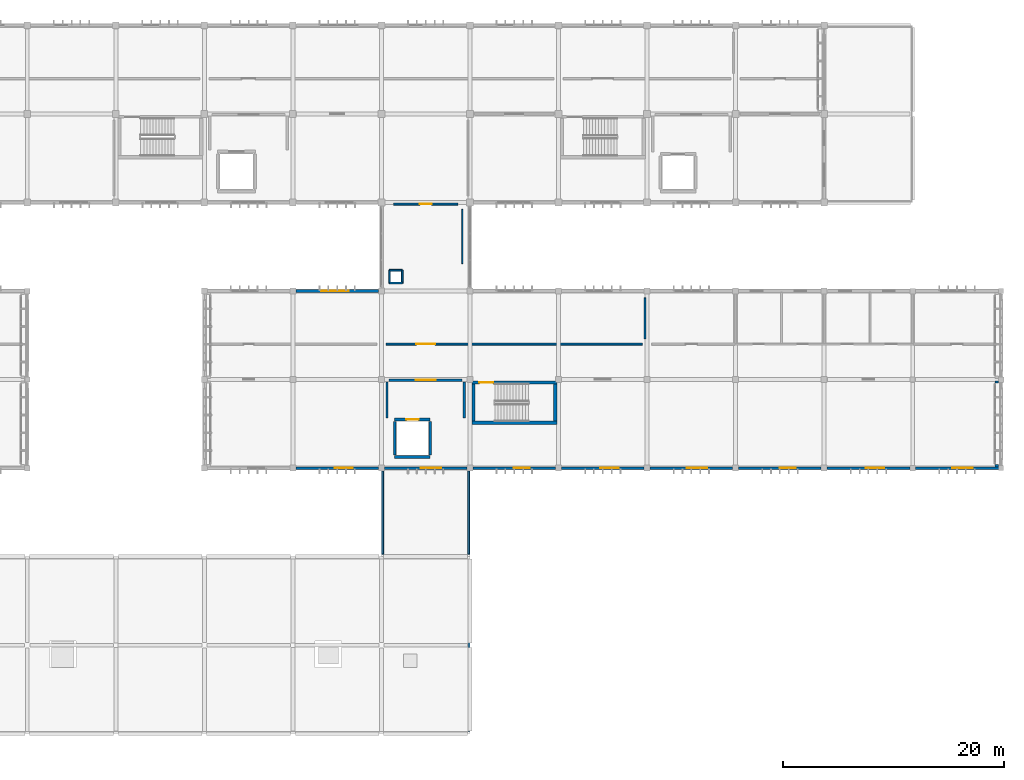
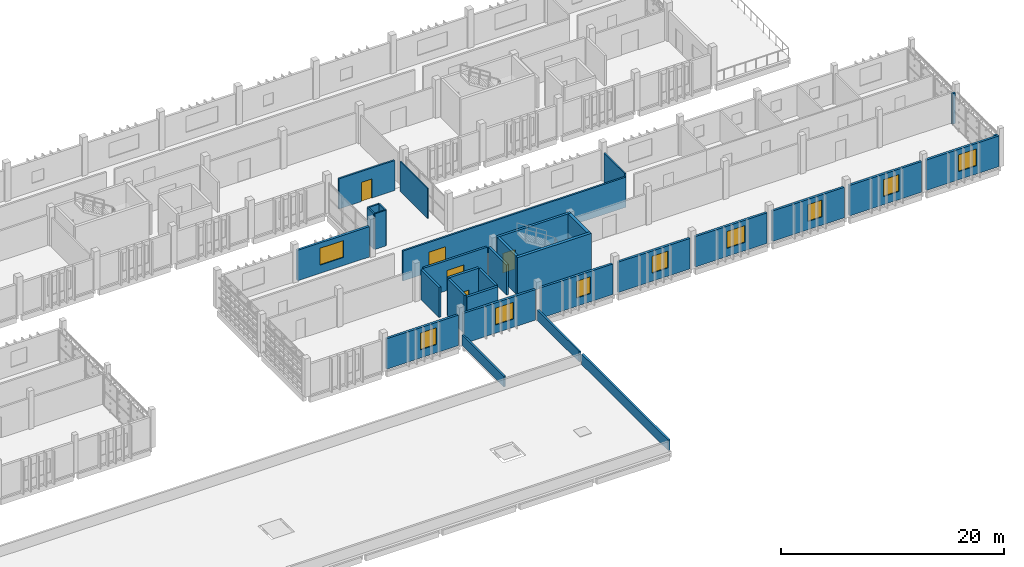
# One storey, part 36 of 48: 33 walls, 9 windows, 5 doors, 14 openings.
"""IFC4 building model written with IfcOpenShell, lengths in metres."""

from ifc_helpers import new_model, si_unit, direction, frame, frame_2d, origin, place, context, subcontext, project, spatial, rectangle, extrude, material, layer, layer_set, type_object, element, fill, save


model = new_model("IFC4")

# Units and contexts
model_context = context("Model", 3, precision=1e-05, world=origin(), true_north=direction((0.0, 1.0)))
body_context = subcontext(model_context, "Body", "Model", "MODEL_VIEW")
ifc_project = project(units=[si_unit("LENGTHUNIT", "METRE"), si_unit("AREAUNIT", "SQUARE_METRE"), si_unit("VOLUMEUNIT", "CUBIC_METRE"), si_unit("PLANEANGLEUNIT", "RADIAN"), si_unit("MASSUNIT", "GRAM", prefix="KILO")], contexts=[model_context])

# Site, building, storey
site_placement = place(None, origin())
site = spatial("IfcSite", under=ifc_project, at=site_placement, CompositionType="ELEMENT")
building_placement = place(site_placement, origin())
building = spatial("IfcBuilding", under=site, at=building_placement, Name="Jelvoka-Kovrelna Polytechnic", CompositionType="ELEMENT")
storey_placement = place(building_placement, frame((0.0, 0.0, 22.199951171875)))
storey = spatial("IfcBuildingStorey", under=building, at=storey_placement, Name="L06", CompositionType="ELEMENT", Elevation=22.199951171875)

# Wall, opening, door
ifc_material_1 = material(Name="Concrete C35/45", Category="concrete")
ifc_layer_1 = layer(ifc_material_1, 0.219970703125)
ifc_layer_set_1 = layer_set([ifc_layer_1], Name="Concrete C35/45")
wall_type_1 = type_object("IfcWallType", Name="Wall_Compartment_220", PredefinedType="PARTITIONING", material=ifc_layer_set_1)
wall_1_placement = place(storey_placement, frame((144.699951171875, 39.949951171875, 0.0), z_axis=(0.0, 0.0, 1.0), x_axis=(1.0, 0.0, 0.0)))
wall_1 = element("IfcWall", 1, at=wall_1_placement, inside=storey, type_object=wall_type_1, Name="L06 interior wall 0502", PredefinedType="PARTITIONING", context=body_context, shape_type="SweptSolid", body=[
    extrude(rectangle(XDim=6.60009765625, YDim=0.219970703125, at=frame_2d((3.300048828125, 0.0))), origin(), (0.0, 0.0, 1.0), 3.300048828125),
])
opening_1_placement = place(wall_1_placement, frame((2.39990234375, 0.0, 0.0)))
opening_1 = element("IfcOpeningElement", 2, at=opening_1_placement, cuts=wall_1, Name="Opening FD-L06-095", PredefinedType="OPENING", context=body_context, shape_type="SweptSolid", body=[
    extrude(rectangle(XDim=1.800048828125, YDim=2.199951171875, at=frame_2d((0.89990234375, 1.10009765625))), frame((0.0, 0.119873046875, 0.0), z_axis=(0.0, -1.0, 0.0), x_axis=(1.0, 0.0, 0.0)), (0.0, 0.0, 1.0), 0.239990234375),
])
ifc_material_2 = material(Name="Paired steel corridor fire door", Category="steel")
door_type_1 = type_object("IfcDoorType", Name="Door_Fire_FD03", OperationType="NOTDEFINED", PredefinedType="DOOR", material=ifc_material_2)
door_1_placement = place(opening_1_placement, origin())
door_1 = element("IfcDoor", 3, at=door_1_placement, inside=storey, type_object=door_type_1, Name="L06 interior door FD-L06-095", OperationType="DOUBLE_DOOR_SINGLE_SWING", OverallHeight=2.199951171875, OverallWidth=1.800048828125, PredefinedType="DOOR", context=body_context, shape_type="SweptSolid", body=[
    extrude(rectangle(XDim=1.800048828125, YDim=2.199951171875, at=frame_2d((0.89990234375, 1.10009765625))), frame((0.0, 0.02490234375, 0.0), z_axis=(0.0, -1.0, 0.0), x_axis=(1.0, 0.0, 0.0)), (0.0, 0.0, 1.0), 0.050048828125),
])
fill(opening_1, door_1)

# Walls
for number, where, z_axis, x_axis, name in (
    (4, (144.5, 36.550048828125, 0.0), (0.0, 0.0, 1.0), (0.0, 1.0, 0.0), "L06 interior wall 0503"),
    (5, (151.5, 36.550048828125, 0.0), (0.0, 0.0, 1.0), (0.0, 1.0, 0.0), "L06 interior wall 0504"),
):
    element("IfcWall", number, at=place(storey_placement, frame(where, z_axis=z_axis, x_axis=x_axis)), inside=storey, type_object=wall_type_1, Name=name, PredefinedType="PARTITIONING", context=body_context, shape_type="SweptSolid", body=[
        extrude(rectangle(XDim=3.25, YDim=0.219970703125, at=frame_2d((1.625, 0.0))), origin(), (0.0, 0.0, 1.0), 3.300048828125),
    ])

# Wall, opening, door
ifc_material_3 = material(Name="Concrete C40/50", Category="concrete")
ifc_layer_2 = layer(ifc_material_3, 0.25)
ifc_layer_set_2 = layer_set([ifc_layer_2], Name="Concrete C40/50")
wall_type_2 = type_object("IfcWallType", Name="Wall_Core_250", PredefinedType="SOLIDWALL", material=ifc_layer_set_2)
wall_2_placement = place(storey_placement, frame((152.199951171875, 39.739990234375, 0.0), z_axis=(0.0, 0.0, 1.0), x_axis=(1.0, 0.0, 0.0)))
wall_2 = element("IfcWall", 6, at=wall_2_placement, inside=storey, type_object=wall_type_2, Name="L06 interior wall 0139", PredefinedType="SOLIDWALL", context=body_context, shape_type="SweptSolid", body=[
    extrude(rectangle(XDim=7.650146484375, YDim=0.25, at=frame_2d((3.8251953125, 0.0))), origin(), (0.0, 0.0, 1.0), 4.199951171875),
])
opening_2_placement = place(wall_2_placement, frame((0.64990234375, 0.0, 0.0)))
opening_2 = element("IfcOpeningElement", 7, at=opening_2_placement, cuts=wall_2, Name="Opening SD-L06-035", PredefinedType="OPENING", context=body_context, shape_type="SweptSolid", body=[
    extrude(rectangle(XDim=1.25, YDim=2.14990234375, at=frame_2d((0.625, 1.074951171875))), frame((0.0, 0.135009765625, 0.0), z_axis=(0.0, -1.0, 0.0), x_axis=(1.0, 0.0, 0.0)), (0.0, 0.0, 1.0), 0.27001953125),
])
ifc_material_4 = material(Name="Powder-coated steel fire door", Category="steel")
door_type_2 = type_object("IfcDoorType", Name="Door_Fire_FD02", OperationType="NOTDEFINED", PredefinedType="DOOR", material=ifc_material_4)
door_2_placement = place(opening_2_placement, origin())
door_2 = element("IfcDoor", 8, at=door_2_placement, inside=storey, type_object=door_type_2, Name="L06 interior door SD-L06-035", OperationType="SINGLE_SWING_LEFT", OverallHeight=2.14990234375, OverallWidth=1.25, PredefinedType="DOOR", context=body_context, shape_type="SweptSolid", body=[
    extrude(rectangle(XDim=1.25, YDim=2.14990234375, at=frame_2d((0.625, 1.074951171875))), frame((0.0, 0.02490234375, 0.0), z_axis=(0.0, -1.0, 0.0), x_axis=(1.0, 0.0, 0.0)), (0.0, 0.0, 1.0), 0.050048828125),
])
fill(opening_2, door_2)

# Walls
wall_3_placement = place(storey_placement, frame((152.324951171875, 36.25, 0.0), z_axis=(0.0, 0.0, 1.0), x_axis=(0.0, 1.0, 0.0)))
element("IfcWall", 9, at=wall_3_placement, inside=storey, type_object=wall_type_2, Name="L06 interior wall 0140", PredefinedType="SOLIDWALL", context=body_context, shape_type="SweptSolid", body=[
    extrude(rectangle(XDim=3.360107421875, YDim=0.25, at=frame_2d((1.68017578125, 0.0))), origin(), (0.0, 0.0, 1.0), 4.199951171875),
])
wall_4_placement = place(storey_placement, frame((145.199951171875, 33.0, 0.0), z_axis=(0.0, 0.0, 1.0), x_axis=(1.0, 0.0, 0.0)))
element("IfcWall", 10, at=wall_4_placement, inside=storey, type_object=wall_type_2, Name="L06 interior wall 0498", PredefinedType="SOLIDWALL", context=body_context, shape_type="SweptSolid", body=[
    extrude(rectangle(XDim=3.199951171875, YDim=0.25, at=frame_2d((1.60009765625, 0.0))), origin(), (0.0, 0.0, 1.0), 4.199951171875),
])

# Wall, opening, door
wall_5_placement = place(storey_placement, frame((145.199951171875, 36.39990234375, 0.0), z_axis=(0.0, 0.0, 1.0), x_axis=(1.0, 0.0, 0.0)))
wall_5 = element("IfcWall", 11, at=wall_5_placement, inside=storey, type_object=wall_type_2, Name="L06 interior wall 0499", PredefinedType="SOLIDWALL", context=body_context, shape_type="SweptSolid", body=[
    extrude(rectangle(XDim=3.199951171875, YDim=0.25, at=frame_2d((1.60009765625, 0.0))), origin(), (0.0, 0.0, 1.0), 4.199951171875),
])
opening_3_placement = place(wall_5_placement, frame((1.050048828125, 0.0, 0.0)))
opening_3 = element("IfcOpeningElement", 12, at=opening_3_placement, cuts=wall_5, Name="Opening LD-L06-32", PredefinedType="OPENING", context=body_context, shape_type="SweptSolid", body=[
    extrude(rectangle(XDim=1.10009765625, YDim=2.14990234375, at=frame_2d((0.550048828125, 1.074951171875))), frame((0.0, 0.135009765625, 0.0), z_axis=(0.0, -1.0, 0.0), x_axis=(1.0, 0.0, 0.0)), (0.0, 0.0, 1.0), 0.27001953125),
])
ifc_material_5 = material(Name="Brushed stainless steel sliding landing door", Category="steel")
door_type_3 = type_object("IfcDoorType", Name="Door_Lift_LD01", OperationType="NOTDEFINED", PredefinedType="DOOR", material=ifc_material_5)
door_3_placement = place(opening_3_placement, origin())
door_3 = element("IfcDoor", 13, at=door_3_placement, inside=storey, type_object=door_type_3, Name="L06 lift landing sliding door LD-L06-32", OperationType="DOUBLE_DOOR_SLIDING", OverallHeight=2.14990234375, OverallWidth=1.10009765625, PredefinedType="DOOR", context=body_context, shape_type="SweptSolid", body=[
    extrude(rectangle(XDim=1.10009765625, YDim=2.14990234375, at=frame_2d((0.550048828125, 1.074951171875))), frame((0.0, 0.02490234375, 0.0), z_axis=(0.0, -1.0, 0.0), x_axis=(1.0, 0.0, 0.0)), (0.0, 0.0, 1.0), 0.050048828125),
])
fill(opening_3, door_3)

# Walls
for number, where, z_axis, x_axis, name in (
    (14, (145.199951171875, 33.199951171875, 0.0), (0.0, 0.0, 1.0), (0.0, 1.0, 0.0), "L06 interior wall 0500"),
    (15, (148.39990234375, 33.199951171875, 0.0), (0.0, 0.0, 1.0), (0.0, 1.0, 0.0), "L06 interior wall 0501"),
):
    element("IfcWall", number, at=place(storey_placement, frame(where, z_axis=z_axis, x_axis=x_axis)), inside=storey, type_object=wall_type_2, Name=name, PredefinedType="SOLIDWALL", context=body_context, shape_type="SweptSolid", body=[
        extrude(rectangle(XDim=3.0, YDim=0.25, at=frame_2d((1.5, 0.0))), origin(), (0.0, 0.0, 1.0), 4.199951171875),
    ])

# Wall, opening, door
ifc_material_6 = material(Name="Autoclaved aerated concrete blockwork", Category="masonry")
ifc_layer_3 = layer(ifc_material_6, 0.179931640625)
ifc_layer_set_3 = layer_set([ifc_layer_3], Name="Autoclaved aerated concrete blockwork")
wall_type_3 = type_object("IfcWallType", Name="Wall_Corridor_180", PredefinedType="PARTITIONING", material=ifc_layer_set_3)
wall_6_placement = place(storey_placement, frame((144.429931640625, 43.199951171875, 0.0), z_axis=(0.0, 0.0, 1.0), x_axis=(1.0, 0.0, 0.0)))
wall_6 = element("IfcWall", 16, at=wall_6_placement, inside=storey, type_object=wall_type_3, Name="L06 interior wall 1248", PredefinedType="PARTITIONING", context=body_context, shape_type="SweptSolid", body=[
    extrude(rectangle(XDim=23.14013671875, YDim=0.179931640625, at=frame_2d((11.570068359375, 0.0))), origin(), (0.0, 0.0, 1.0), 3.300048828125),
])
opening_4_placement = place(wall_6_placement, frame((2.699951171875, 0.0, 0.0)))
opening_4 = element("IfcOpeningElement", 17, at=opening_4_placement, cuts=wall_6, Name="Opening D-L06-424", PredefinedType="OPENING", context=body_context, shape_type="SweptSolid", body=[
    extrude(rectangle(XDim=1.739990234375, YDim=2.219970703125, at=frame_2d((0.8701171875, 1.10986328125))), frame((0.0, 0.099853515625, 0.0), z_axis=(0.0, -1.0, 0.0), x_axis=(1.0, 0.0, 0.0)), (0.0, 0.0, 1.0), 0.199951171875),
])
ifc_material_7 = material(Name="Paired hardwood fire-resisting refectory door", Category="wood")
door_type_4 = type_object("IfcDoorType", Name="Door_Fire_FD30_09", OperationType="NOTDEFINED", PredefinedType="DOOR", material=ifc_material_7)
door_4_placement = place(opening_4_placement, origin())
door_4 = element("IfcDoor", 18, at=door_4_placement, inside=storey, type_object=door_type_4, Name="L06 interior door D-L06-424", OperationType="DOUBLE_DOOR_SINGLE_SWING", OverallHeight=2.219970703125, OverallWidth=1.739990234375, PredefinedType="DOOR", context=body_context, shape_type="SweptSolid", body=[
    extrude(rectangle(XDim=1.739990234375, YDim=2.219970703125, at=frame_2d((0.8701171875, 1.10986328125))), frame((0.0, 0.02490234375, 0.0), z_axis=(0.0, -1.0, 0.0), x_axis=(1.0, 0.0, 0.0)), (0.0, 0.0, 1.0), 0.050048828125),
])
fill(opening_4, door_4)

wall_7_placement = place(storey_placement, frame((145.10009765625, 55.85009765625, 0.0), z_axis=(0.0, 0.0, 1.0), x_axis=(1.0, 0.0, 0.0)))
wall_7 = element("IfcWall", 19, at=wall_7_placement, inside=storey, type_object=wall_type_3, Name="L06 interior wall 1269", PredefinedType="PARTITIONING", context=body_context, shape_type="SweptSolid", body=[
    extrude(rectangle(XDim=5.7998046875, YDim=0.179931640625, at=frame_2d((2.89990234375, 0.0))), origin(), (0.0, 0.0, 1.0), 3.300048828125),
])
opening_5_placement = place(wall_7_placement, frame((2.3701171875, 0.0, 0.0)))
opening_5 = element("IfcOpeningElement", 20, at=opening_5_placement, cuts=wall_7, Name="Opening D-L06-439", PredefinedType="OPENING", context=body_context, shape_type="SweptSolid", body=[
    extrude(rectangle(XDim=1.06005859375, YDim=2.10009765625, at=frame_2d((0.530029296875, 1.050048828125))), frame((0.0, 0.099853515625, 0.0), z_axis=(0.0, -1.0, 0.0), x_axis=(1.0, 0.0, 0.0)), (0.0, 0.0, 1.0), 0.199951171875),
])
ifc_material_8 = material(Name="Hardwood solid-core door", Category="wood")
door_type_5 = type_object("IfcDoorType", Name="Door_Int_D05", OperationType="NOTDEFINED", PredefinedType="DOOR", material=ifc_material_8)
door_5_placement = place(opening_5_placement, origin())
door_5 = element("IfcDoor", 21, at=door_5_placement, inside=storey, type_object=door_type_5, Name="L06 interior door D-L06-439", OperationType="SINGLE_SWING_LEFT", OverallHeight=2.10009765625, OverallWidth=1.06005859375, PredefinedType="DOOR", context=body_context, shape_type="SweptSolid", body=[
    extrude(rectangle(XDim=1.06005859375, YDim=2.10009765625, at=frame_2d((0.530029296875, 1.050048828125))), frame((0.0, 0.02490234375, 0.0), z_axis=(0.0, -1.0, 0.0), x_axis=(1.0, 0.0, 0.0)), (0.0, 0.0, 1.0), 0.050048828125),
])
fill(opening_5, door_5)

# Wall, opening, window
ifc_material_9 = material(Name="Precast concrete C40/50", Category="concrete")
ifc_layer_4 = layer(ifc_material_9, 0.239990234375)
ifc_layer_set_4 = layer_set([ifc_layer_4], Name="Precast concrete C40/50")
wall_type_4 = type_object("IfcWallType", Name="Wall_Ext_White_240", PredefinedType="STANDARD", material=ifc_layer_set_4)
wall_8_placement = place(storey_placement, frame((143.72802734375, 32.0, 0.0), z_axis=(0.0, 0.0, 1.0), x_axis=(-1.0, 0.0, 0.0)))
wall_8 = element("IfcWall", 22, at=wall_8_placement, inside=storey, type_object=wall_type_4, Name="L06 exterior wall 0532", PredefinedType="STANDARD", context=body_context, shape_type="SweptSolid", body=[
    extrude(rectangle(XDim=7.4560546875, YDim=0.239990234375, at=frame_2d((3.72802734375, 0.0))), origin(), (0.0, 0.0, 1.0), 3.3349609375),
])
opening_6_placement = place(wall_8_placement, frame((2.30810546875, 0.0, 0.89990234375)))
opening_6 = element("IfcOpeningElement", 23, at=opening_6_placement, cuts=wall_8, Name="Opening W-L06-225", PredefinedType="OPENING", context=body_context, shape_type="SweptSolid", body=[
    extrude(rectangle(XDim=1.64990234375, YDim=1.85009765625, at=frame_2d((0.824951171875, 0.925048828125))), frame((0.0, 0.130126953125, 0.0), z_axis=(0.0, -1.0, 0.0), x_axis=(1.0, 0.0, 0.0)), (0.0, 0.0, 1.0), 0.260009765625),
])
ifc_material_10 = material(Name="Thermally broken anodised aluminium and low-e glazing", Category="aluminium")
window_type_1 = type_object("IfcWindowType", Name="Win_Casement_W44", PartitioningType="DOUBLE_PANEL_VERTICAL", PredefinedType="WINDOW", material=ifc_material_10)
window_1_placement = place(opening_6_placement, origin())
window_1 = element("IfcWindow", 24, at=window_1_placement, inside=storey, type_object=window_type_1, Name="L06 aluminium casement window W-L06-225", OverallHeight=1.85009765625, OverallWidth=1.64990234375, PartitioningType="DOUBLE_PANEL_VERTICAL", PredefinedType="WINDOW", context=body_context, shape_type="SweptSolid", body=[
    extrude(rectangle(XDim=1.64990234375, YDim=1.85009765625, at=frame_2d((0.824951171875, 0.925048828125))), frame((0.0, 0.030029296875, 0.0), z_axis=(0.0, -1.0, 0.0), x_axis=(1.0, 0.0, 0.0)), (0.0, 0.0, 1.0), 0.06005859375),
])
fill(opening_6, window_1)

wall_9_placement = place(storey_placement, frame((136.27197265625, 48.0, 0.0), z_axis=(0.0, 0.0, 1.0), x_axis=(1.0, 0.0, 0.0)))
wall_9 = element("IfcWall", 25, at=wall_9_placement, inside=storey, type_object=wall_type_4, Name="L06 exterior wall 0533", PredefinedType="STANDARD", context=body_context, shape_type="SweptSolid", body=[
    extrude(rectangle(XDim=7.4560546875, YDim=0.239990234375, at=frame_2d((3.72802734375, 0.0))), origin(), (0.0, 0.0, 1.0), 3.3349609375),
])
opening_7_placement = place(wall_9_placement, frame((2.30810546875, 0.0, 0.89990234375)))
opening_7 = element("IfcOpeningElement", 26, at=opening_7_placement, cuts=wall_9, Name="Opening W-L06-226", PredefinedType="OPENING", context=body_context, shape_type="SweptSolid", body=[
    extrude(rectangle(XDim=2.449951171875, YDim=1.85009765625, at=frame_2d((1.22509765625, 0.925048828125))), frame((0.0, 0.130126953125, 0.0), z_axis=(0.0, -1.0, 0.0), x_axis=(1.0, 0.0, 0.0)), (0.0, 0.0, 1.0), 0.260009765625),
])
ifc_material_11 = material(Name="Thermally broken anodised aluminium and low-e glazing", Category="aluminium")
window_type_2 = type_object("IfcWindowType", Name="Win_Casement_W48", PartitioningType="DOUBLE_PANEL_VERTICAL", PredefinedType="WINDOW", material=ifc_material_11)
window_2_placement = place(opening_7_placement, origin())
window_2 = element("IfcWindow", 27, at=window_2_placement, inside=storey, type_object=window_type_2, Name="L06 aluminium casement window W-L06-226", OverallHeight=1.85009765625, OverallWidth=2.449951171875, PartitioningType="DOUBLE_PANEL_VERTICAL", PredefinedType="WINDOW", context=body_context, shape_type="SweptSolid", body=[
    extrude(rectangle(XDim=2.449951171875, YDim=1.85009765625, at=frame_2d((1.22509765625, 0.925048828125))), frame((0.0, 0.030029296875, 0.0), z_axis=(0.0, -1.0, 0.0), x_axis=(1.0, 0.0, 0.0)), (0.0, 0.0, 1.0), 0.06005859375),
])
fill(opening_7, window_2)

wall_10_placement = place(storey_placement, frame((151.72802734375, 32.0, 0.0), z_axis=(0.0, 0.0, 1.0), x_axis=(-1.0, 0.0, 0.0)))
wall_10 = element("IfcWall", 28, at=wall_10_placement, inside=storey, type_object=wall_type_4, Name="L06 exterior wall 0534", PredefinedType="STANDARD", context=body_context, shape_type="SweptSolid", body=[
    extrude(rectangle(XDim=7.4560546875, YDim=0.239990234375, at=frame_2d((3.72802734375, 0.0))), origin(), (0.0, 0.0, 1.0), 3.3349609375),
])
opening_8_placement = place(wall_10_placement, frame((2.30810546875, 0.0, 0.89990234375)))
opening_8 = element("IfcOpeningElement", 29, at=opening_8_placement, cuts=wall_10, Name="Opening W-L06-227", PredefinedType="OPENING", context=body_context, shape_type="SweptSolid", body=[
    extrude(rectangle(XDim=1.85009765625, YDim=1.85009765625, at=frame_2d((0.925048828125, 0.925048828125))), frame((0.0, 0.130126953125, 0.0), z_axis=(0.0, -1.0, 0.0), x_axis=(1.0, 0.0, 0.0)), (0.0, 0.0, 1.0), 0.260009765625),
])
ifc_material_12 = material(Name="Thermally broken anodised aluminium and low-e glazing", Category="aluminium")
window_type_3 = type_object("IfcWindowType", Name="Win_Casement_W45", PartitioningType="DOUBLE_PANEL_VERTICAL", PredefinedType="WINDOW", material=ifc_material_12)
window_3_placement = place(opening_8_placement, origin())
window_3 = element("IfcWindow", 30, at=window_3_placement, inside=storey, type_object=window_type_3, Name="L06 aluminium casement window W-L06-227", OverallHeight=1.85009765625, OverallWidth=1.85009765625, PartitioningType="DOUBLE_PANEL_VERTICAL", PredefinedType="WINDOW", context=body_context, shape_type="SweptSolid", body=[
    extrude(rectangle(XDim=1.85009765625, YDim=1.85009765625, at=frame_2d((0.925048828125, 0.925048828125))), frame((0.0, 0.030029296875, 0.0), z_axis=(0.0, -1.0, 0.0), x_axis=(1.0, 0.0, 0.0)), (0.0, 0.0, 1.0), 0.06005859375),
])
fill(opening_8, window_3)

wall_11_placement = place(storey_placement, frame((159.72802734375, 32.0, 0.0), z_axis=(0.0, 0.0, 1.0), x_axis=(-1.0, 0.0, 0.0)))
wall_11 = element("IfcWall", 31, at=wall_11_placement, inside=storey, type_object=wall_type_4, Name="L06 exterior wall 0535", PredefinedType="STANDARD", context=body_context, shape_type="SweptSolid", body=[
    extrude(rectangle(XDim=7.4560546875, YDim=0.239990234375, at=frame_2d((3.72802734375, 0.0))), origin(), (0.0, 0.0, 1.0), 3.3349609375),
])
opening_9_placement = place(wall_11_placement, frame((2.30810546875, 0.0, 0.89990234375)))
opening_9 = element("IfcOpeningElement", 32, at=opening_9_placement, cuts=wall_11, Name="Opening W-L06-228", PredefinedType="OPENING", context=body_context, shape_type="SweptSolid", body=[
    extrude(rectangle(XDim=1.449951171875, YDim=1.85009765625, at=frame_2d((0.72509765625, 0.925048828125))), frame((0.0, 0.130126953125, 0.0), z_axis=(0.0, -1.0, 0.0), x_axis=(1.0, 0.0, 0.0)), (0.0, 0.0, 1.0), 0.260009765625),
])
ifc_material_13 = material(Name="Thermally broken anodised aluminium and low-e glazing", Category="aluminium")
window_type_4 = type_object("IfcWindowType", Name="Win_Casement_W43", PartitioningType="SINGLE_PANEL", PredefinedType="WINDOW", material=ifc_material_13)
window_4_placement = place(opening_9_placement, origin())
window_4 = element("IfcWindow", 33, at=window_4_placement, inside=storey, type_object=window_type_4, Name="L06 aluminium casement window W-L06-228", OverallHeight=1.85009765625, OverallWidth=1.449951171875, PartitioningType="SINGLE_PANEL", PredefinedType="WINDOW", context=body_context, shape_type="SweptSolid", body=[
    extrude(rectangle(XDim=1.449951171875, YDim=1.85009765625, at=frame_2d((0.72509765625, 0.925048828125))), frame((0.0, 0.030029296875, 0.0), z_axis=(0.0, -1.0, 0.0), x_axis=(1.0, 0.0, 0.0)), (0.0, 0.0, 1.0), 0.06005859375),
])
fill(opening_9, window_4)

wall_12_placement = place(storey_placement, frame((167.72802734375, 32.0, 0.0), z_axis=(0.0, 0.0, 1.0), x_axis=(-1.0, 0.0, 0.0)))
wall_12 = element("IfcWall", 34, at=wall_12_placement, inside=storey, type_object=wall_type_4, Name="L06 exterior wall 0537", PredefinedType="STANDARD", context=body_context, shape_type="SweptSolid", body=[
    extrude(rectangle(XDim=7.4560546875, YDim=0.239990234375, at=frame_2d((3.72802734375, 0.0))), origin(), (0.0, 0.0, 1.0), 3.3349609375),
])
opening_10_placement = place(wall_12_placement, frame((2.30810546875, 0.0, 0.89990234375)))
opening_10 = element("IfcOpeningElement", 35, at=opening_10_placement, cuts=wall_12, Name="Opening W-L06-230", PredefinedType="OPENING", context=body_context, shape_type="SweptSolid", body=[
    extrude(rectangle(XDim=1.64990234375, YDim=1.85009765625, at=frame_2d((0.824951171875, 0.925048828125))), frame((0.0, 0.130126953125, 0.0), z_axis=(0.0, -1.0, 0.0), x_axis=(1.0, 0.0, 0.0)), (0.0, 0.0, 1.0), 0.260009765625),
])
window_5_placement = place(opening_10_placement, origin())
window_5 = element("IfcWindow", 36, at=window_5_placement, inside=storey, type_object=window_type_1, Name="L06 aluminium casement window W-L06-230", OverallHeight=1.85009765625, OverallWidth=1.64990234375, PartitioningType="DOUBLE_PANEL_VERTICAL", PredefinedType="WINDOW", context=body_context, shape_type="SweptSolid", body=[
    extrude(rectangle(XDim=1.64990234375, YDim=1.85009765625, at=frame_2d((0.824951171875, 0.925048828125))), frame((0.0, 0.030029296875, 0.0), z_axis=(0.0, -1.0, 0.0), x_axis=(1.0, 0.0, 0.0)), (0.0, 0.0, 1.0), 0.06005859375),
])
fill(opening_10, window_5)

wall_13_placement = place(storey_placement, frame((175.72802734375, 32.0, 0.0), z_axis=(0.0, 0.0, 1.0), x_axis=(-1.0, 0.0, 0.0)))
wall_13 = element("IfcWall", 37, at=wall_13_placement, inside=storey, type_object=wall_type_4, Name="L06 exterior wall 0539", PredefinedType="STANDARD", context=body_context, shape_type="SweptSolid", body=[
    extrude(rectangle(XDim=7.4560546875, YDim=0.239990234375, at=frame_2d((3.72802734375, 0.0))), origin(), (0.0, 0.0, 1.0), 3.3349609375),
])
opening_11_placement = place(wall_13_placement, frame((2.30810546875, 0.0, 0.89990234375)))
opening_11 = element("IfcOpeningElement", 38, at=opening_11_placement, cuts=wall_13, Name="Opening W-L06-232", PredefinedType="OPENING", context=body_context, shape_type="SweptSolid", body=[
    extrude(rectangle(XDim=1.85009765625, YDim=1.85009765625, at=frame_2d((0.925048828125, 0.925048828125))), frame((0.0, 0.130126953125, 0.0), z_axis=(0.0, -1.0, 0.0), x_axis=(1.0, 0.0, 0.0)), (0.0, 0.0, 1.0), 0.260009765625),
])
window_6_placement = place(opening_11_placement, origin())
window_6 = element("IfcWindow", 39, at=window_6_placement, inside=storey, type_object=window_type_3, Name="L06 aluminium casement window W-L06-232", OverallHeight=1.85009765625, OverallWidth=1.85009765625, PartitioningType="DOUBLE_PANEL_VERTICAL", PredefinedType="WINDOW", context=body_context, shape_type="SweptSolid", body=[
    extrude(rectangle(XDim=1.85009765625, YDim=1.85009765625, at=frame_2d((0.925048828125, 0.925048828125))), frame((0.0, 0.030029296875, 0.0), z_axis=(0.0, -1.0, 0.0), x_axis=(1.0, 0.0, 0.0)), (0.0, 0.0, 1.0), 0.06005859375),
])
fill(opening_11, window_6)

wall_14_placement = place(storey_placement, frame((183.72802734375, 32.0, 0.0), z_axis=(0.0, 0.0, 1.0), x_axis=(-1.0, 0.0, 0.0)))
wall_14 = element("IfcWall", 40, at=wall_14_placement, inside=storey, type_object=wall_type_4, Name="L06 exterior wall 0541", PredefinedType="STANDARD", context=body_context, shape_type="SweptSolid", body=[
    extrude(rectangle(XDim=7.4560546875, YDim=0.239990234375, at=frame_2d((3.72802734375, 0.0))), origin(), (0.0, 0.0, 1.0), 3.3349609375),
])
opening_12_placement = place(wall_14_placement, frame((2.30810546875, 0.0, 0.89990234375)))
opening_12 = element("IfcOpeningElement", 41, at=opening_12_placement, cuts=wall_14, Name="Opening W-L06-234", PredefinedType="OPENING", context=body_context, shape_type="SweptSolid", body=[
    extrude(rectangle(XDim=1.449951171875, YDim=1.85009765625, at=frame_2d((0.72509765625, 0.925048828125))), frame((0.0, 0.130126953125, 0.0), z_axis=(0.0, -1.0, 0.0), x_axis=(1.0, 0.0, 0.0)), (0.0, 0.0, 1.0), 0.260009765625),
])
window_7_placement = place(opening_12_placement, origin())
window_7 = element("IfcWindow", 42, at=window_7_placement, inside=storey, type_object=window_type_4, Name="L06 aluminium casement window W-L06-234", OverallHeight=1.85009765625, OverallWidth=1.449951171875, PartitioningType="SINGLE_PANEL", PredefinedType="WINDOW", context=body_context, shape_type="SweptSolid", body=[
    extrude(rectangle(XDim=1.449951171875, YDim=1.85009765625, at=frame_2d((0.72509765625, 0.925048828125))), frame((0.0, 0.030029296875, 0.0), z_axis=(0.0, -1.0, 0.0), x_axis=(1.0, 0.0, 0.0)), (0.0, 0.0, 1.0), 0.06005859375),
])
fill(opening_12, window_7)

wall_15_placement = place(storey_placement, frame((191.7529296875, 32.0, 0.0), z_axis=(0.0, 0.0, 1.0), x_axis=(-1.0, 0.0, 0.0)))
wall_15 = element("IfcWall", 43, at=wall_15_placement, inside=storey, type_object=wall_type_4, Name="L06 exterior wall 0543", PredefinedType="STANDARD", context=body_context, shape_type="SweptSolid", body=[
    extrude(rectangle(XDim=7.48095703125, YDim=0.239990234375, at=frame_2d((3.740478515625, 0.0))), origin(), (0.0, 0.0, 1.0), 3.35009765625),
])
opening_13_placement = place(wall_15_placement, frame((2.3330078125, 0.0, 0.89990234375)))
opening_13 = element("IfcOpeningElement", 44, at=opening_13_placement, cuts=wall_15, Name="Opening W-L06-237", PredefinedType="OPENING", context=body_context, shape_type="SweptSolid", body=[
    extrude(rectangle(XDim=1.64990234375, YDim=1.85009765625, at=frame_2d((0.824951171875, 0.925048828125))), frame((0.0, 0.130126953125, 0.0), z_axis=(0.0, -1.0, 0.0), x_axis=(1.0, 0.0, 0.0)), (0.0, 0.0, 1.0), 0.260009765625),
])
window_8_placement = place(opening_13_placement, origin())
window_8 = element("IfcWindow", 45, at=window_8_placement, inside=storey, type_object=window_type_1, Name="L06 aluminium casement window W-L06-237", OverallHeight=1.85009765625, OverallWidth=1.64990234375, PartitioningType="DOUBLE_PANEL_VERTICAL", PredefinedType="WINDOW", context=body_context, shape_type="SweptSolid", body=[
    extrude(rectangle(XDim=1.64990234375, YDim=1.85009765625, at=frame_2d((0.824951171875, 0.925048828125))), frame((0.0, 0.030029296875, 0.0), z_axis=(0.0, -1.0, 0.0), x_axis=(1.0, 0.0, 0.0)), (0.0, 0.0, 1.0), 0.06005859375),
])
fill(opening_13, window_8)

wall_16_placement = place(storey_placement, frame((199.778076171875, 32.0, 0.0), z_axis=(0.0, 0.0, 1.0), x_axis=(-1.0, 0.0, 0.0)))
wall_16 = element("IfcWall", 46, at=wall_16_placement, inside=storey, type_object=wall_type_4, Name="L06 exterior wall 0545", PredefinedType="STANDARD", context=body_context, shape_type="SweptSolid", body=[
    extrude(rectangle(XDim=7.531005859375, YDim=0.239990234375, at=frame_2d((3.765625, 0.0))), origin(), (0.0, 0.0, 1.0), 3.35009765625),
])
opening_14_placement = place(wall_16_placement, frame((2.35791015625, 0.0, 0.89990234375)))
opening_14 = element("IfcOpeningElement", 47, at=opening_14_placement, cuts=wall_16, Name="Opening W-L06-240", PredefinedType="OPENING", context=body_context, shape_type="SweptSolid", body=[
    extrude(rectangle(XDim=1.85009765625, YDim=1.85009765625, at=frame_2d((0.925048828125, 0.925048828125))), frame((0.0, 0.130126953125, 0.0), z_axis=(0.0, -1.0, 0.0), x_axis=(1.0, 0.0, 0.0)), (0.0, 0.0, 1.0), 0.260009765625),
])
window_9_placement = place(opening_14_placement, origin())
window_9 = element("IfcWindow", 48, at=window_9_placement, inside=storey, type_object=window_type_3, Name="L06 aluminium casement window W-L06-240", OverallHeight=1.85009765625, OverallWidth=1.85009765625, PartitioningType="DOUBLE_PANEL_VERTICAL", PredefinedType="WINDOW", context=body_context, shape_type="SweptSolid", body=[
    extrude(rectangle(XDim=1.85009765625, YDim=1.85009765625, at=frame_2d((0.925048828125, 0.925048828125))), frame((0.0, 0.030029296875, 0.0), z_axis=(0.0, -1.0, 0.0), x_axis=(1.0, 0.0, 0.0)), (0.0, 0.0, 1.0), 0.06005859375),
])
fill(opening_14, window_9)

# Walls
ifc_material_14 = material(Name="Precast concrete C40/50", Category="concrete")
ifc_layer_5 = layer(ifc_material_14, 0.179931640625)
ifc_layer_set_5 = layer_set([ifc_layer_5], Name="Precast concrete C40/50")
wall_type_5 = type_object("IfcWallType", Name="Wall_Parapet_180", PredefinedType="PARAPET", material=ifc_layer_set_5)
for number, where, z_axis, x_axis, name in (
    (49, (151.89990234375, 24.219970703125, 0.0), (0.0, 0.0, 1.0), (0.0, 1.0, 0.0), "L06 exterior wall 1205"),
    (50, (144.10009765625, 31.780029296875, 0.0), (0.0, 0.0, 1.0), (0.0, -1.0, 0.0), "L06 exterior wall 1206"),
):
    element("IfcWall", number, at=place(storey_placement, frame(where, z_axis=z_axis, x_axis=x_axis)), inside=storey, type_object=wall_type_5, Name=name, PredefinedType="PARAPET", context=body_context, shape_type="SweptSolid", body=[
        extrude(rectangle(XDim=7.56005859375, YDim=0.179931640625, at=frame_2d((3.780029296875, 0.0))), origin(), (0.0, 0.0, 1.0), 1.150146484375),
    ])
ifc_material_15 = material(Name="Precast concrete C40/50", Category="concrete")
ifc_layer_6 = layer(ifc_material_15, 0.199951171875)
ifc_layer_set_6 = layer_set([ifc_layer_6], Name="Precast concrete C40/50")
wall_type_6 = type_object("IfcWallType", Name="Wall_Parapet_200", PredefinedType="PARAPET", material=ifc_layer_set_6)
for number, where, z_axis, x_axis, name in (
    (51, (199.760009765625, 32.219970703125, 0.0), (0.0, 0.0, 1.0), (-1.0, 0.0, 0.0), "L06 exterior wall 0551"),
    (52, (199.760009765625, 39.780029296875, 0.0), (0.0, 0.0, 1.0), (-1.0, 0.0, 0.0), "L06 exterior wall 0552"),
):
    element("IfcWall", number, at=place(storey_placement, frame(where, z_axis=z_axis, x_axis=x_axis)), inside=storey, type_object=wall_type_6, Name=name, PredefinedType="PARAPET", context=body_context, shape_type="SweptSolid", body=[
        extrude(rectangle(XDim=0.320068359375, YDim=0.199951171875, at=frame_2d((0.16015625, 0.0))), origin(), (0.0, 0.0, 1.0), 3.35009765625),
    ])
wall_17_placement = place(storey_placement, frame((151.89990234375, 8.219970703125, 0.0), z_axis=(0.0, 0.0, 1.0), x_axis=(0.0, 1.0, 0.0)))
element("IfcWall", 53, at=wall_17_placement, inside=storey, type_object=wall_type_6, Name="L06 exterior wall 1196", PredefinedType="PARAPET", context=body_context, shape_type="SweptSolid", body=[
    extrude(rectangle(XDim=15.56005859375, YDim=0.199951171875, at=frame_2d((7.780029296875, 0.0))), origin(), (0.0, 0.0, 1.0), 1.150146484375),
])
ifc_material_16 = material(Name="Acoustic gypsum stud partition")
ifc_layer_7 = layer(ifc_material_16, 0.125)
ifc_layer_set_7 = layer_set([ifc_layer_7], Name="Acoustic gypsum stud partition")
wall_type_7 = type_object("IfcWallType", Name="Wall_Partition_125", PredefinedType="PARTITIONING", material=ifc_layer_set_7)
wall_18_placement = place(storey_placement, frame((151.300048828125, 50.469970703125, 0.0), z_axis=(0.0, 0.0, 1.0), x_axis=(0.0, 1.0, 0.0)))
element("IfcWall", 54, at=wall_18_placement, inside=storey, type_object=wall_type_7, Name="L06 interior wall 1270", PredefinedType="PARTITIONING", context=body_context, shape_type="SweptSolid", body=[
    extrude(rectangle(XDim=4.909912109375, YDim=0.125, at=frame_2d((2.455078125, 0.0))), origin(), (0.0, 0.0, 1.0), 3.300048828125),
])
ifc_material_17 = material(Name="Autoclaved aerated concrete blockwork", Category="masonry")
ifc_layer_8 = layer(ifc_material_17, 0.14990234375)
ifc_layer_set_8 = layer_set([ifc_layer_8], Name="Autoclaved aerated concrete blockwork")
wall_type_8 = type_object("IfcWallType", Name="Wall_Partition_150", PredefinedType="PARTITIONING", material=ifc_layer_set_8)
for number, where, z_axis, x_axis, name in (
    (55, (144.719970703125, 48.719970703125, 0.0), (0.0, 0.0, 1.0), (1.0, 0.0, 0.0), "L06 interior wall 0791"),
    (56, (145.8798828125, 48.719970703125, 0.0), (0.0, 0.0, 1.0), (0.0, 1.0, 0.0), "L06 interior wall 0792"),
    (57, (145.8798828125, 49.8798828125, 0.0), (0.0, 0.0, 1.0), (-1.0, 0.0, 0.0), "L06 interior wall 0793"),
    (58, (144.719970703125, 49.8798828125, 0.0), (0.0, 0.0, 1.0), (0.0, -1.0, 0.0), "L06 interior wall 0794"),
):
    element("IfcWall", number, at=place(storey_placement, frame(where, z_axis=z_axis, x_axis=x_axis)), inside=storey, type_object=wall_type_8, Name=name, PredefinedType="PARTITIONING", context=body_context, shape_type="SweptSolid", body=[
        extrude(rectangle(XDim=1.159912109375, YDim=0.14990234375, at=frame_2d((0.580078125, 0.0))), origin(), (0.0, 0.0, 1.0), 3.900146484375),
    ])
wall_19_placement = place(storey_placement, frame((167.820068359375, 43.669921875, 0.0), z_axis=(0.0, 0.0, 1.0), x_axis=(0.0, 1.0, 0.0)))
element("IfcWall", 59, at=wall_19_placement, inside=storey, type_object=wall_type_8, Name="L06 interior wall 1249", PredefinedType="PARTITIONING", context=body_context, shape_type="SweptSolid", body=[
    extrude(rectangle(XDim=3.7099609375, YDim=0.14990234375, at=frame_2d((1.85498046875, 0.0))), origin(), (0.0, 0.0, 1.0), 3.300048828125),
])
ifc_material_18 = material(Name="Concrete C40/50", Category="concrete")
ifc_layer_9 = layer(ifc_material_18, 0.300048828125)
ifc_layer_set_9 = layer_set([ifc_layer_9], Name="Concrete C40/50")
wall_type_9 = type_object("IfcWallType", Name="Wall_Shear_300", PredefinedType="SHEAR", material=ifc_layer_set_9)
wall_20_placement = place(storey_placement, frame((152.199951171875, 36.090087890625, 0.0), z_axis=(0.0, 0.0, 1.0), x_axis=(1.0, 0.0, 0.0)))
element("IfcWall", 60, at=wall_20_placement, inside=storey, type_object=wall_type_9, Name="L06 interior wall 0137", PredefinedType="SHEAR", context=body_context, shape_type="SweptSolid", body=[
    extrude(rectangle(XDim=7.650146484375, YDim=0.300048828125, at=frame_2d((3.8251953125, 0.0))), origin(), (0.0, 0.0, 1.0), 4.199951171875),
])
wall_21_placement = place(storey_placement, frame((159.7099609375, 36.25, 0.0), z_axis=(0.0, 0.0, 1.0), x_axis=(0.0, 1.0, 0.0)))
element("IfcWall", 61, at=wall_21_placement, inside=storey, type_object=wall_type_9, Name="L06 interior wall 0138", PredefinedType="SHEAR", context=body_context, shape_type="SweptSolid", body=[
    extrude(rectangle(XDim=3.360107421875, YDim=0.300048828125, at=frame_2d((1.68017578125, 0.0))), origin(), (0.0, 0.0, 1.0), 4.199951171875),
])

save(model, "model.ifc")
